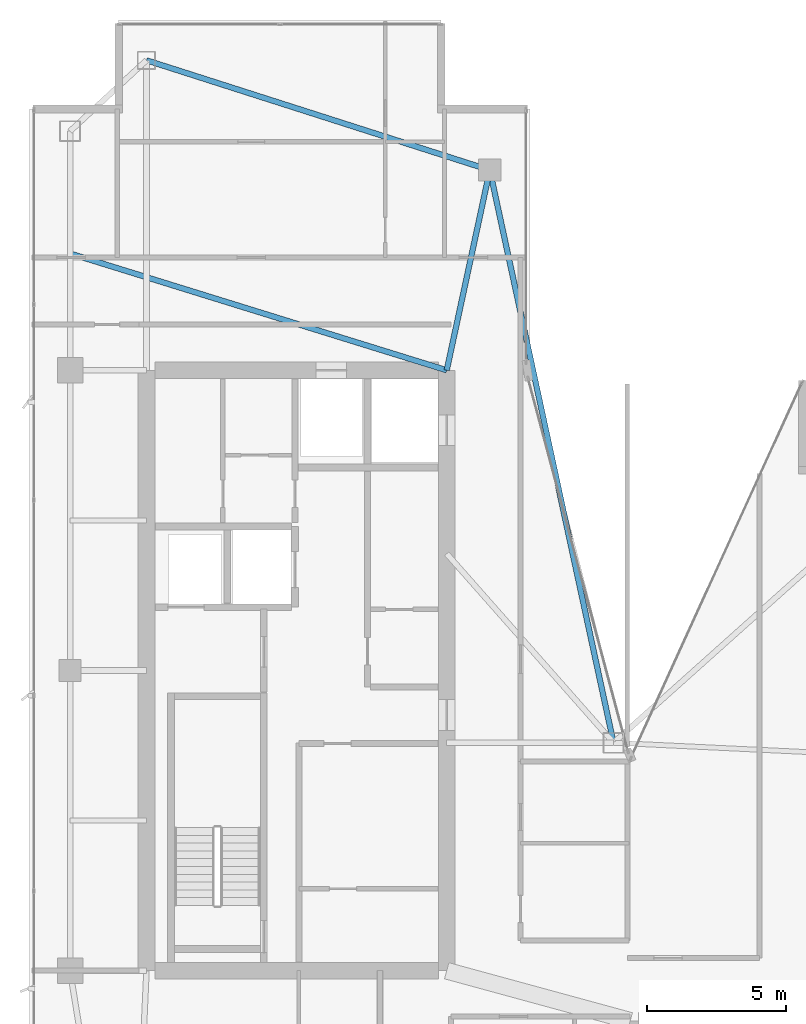
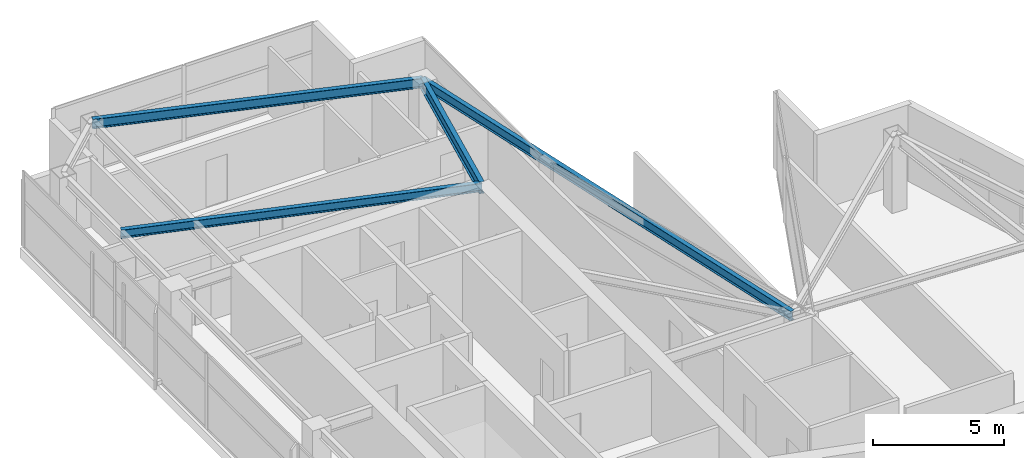
# One storey, part 18 of 27: 4 beams.
"""IFC4 building model written with IfcOpenShell, lengths in metres."""

from ifc_helpers import new_model, si_unit, direction, frame, origin, origin_2d, place, context, subcontext, project, spatial, i_section, extrude, material, material_profile, profile_set, type_object, element, save


model = new_model("IFC4")

# Units and contexts
model_context = context("Model", 3, precision=1e-05, world=origin(), true_north=direction((0.0, 1.0)))
body_context = subcontext(model_context, "Body", "Model", "MODEL_VIEW")
ifc_project = project(units=[si_unit("LENGTHUNIT", "METRE"), si_unit("AREAUNIT", "SQUARE_METRE"), si_unit("VOLUMEUNIT", "CUBIC_METRE"), si_unit("PLANEANGLEUNIT", "RADIAN"), si_unit("MASSUNIT", "GRAM", prefix="KILO")], contexts=[model_context])

# Site, building, storey
site_placement = place(None, origin())
site = spatial("IfcSite", under=ifc_project, at=site_placement, CompositionType="ELEMENT")
building_placement = place(site_placement, origin())
building = spatial("IfcBuilding", under=site, at=building_placement, Name="Calvorn Quay Hotel", CompositionType="ELEMENT")
storey_placement = place(building_placement, frame((0.0, 0.0, 287.300048828125)))
storey = spatial("IfcBuildingStorey", under=building, at=storey_placement, Name="L71", CompositionType="ELEMENT", Elevation=287.300048828125)

# Beams
ifc_material_1 = material(Name="Steel Q355B", Category="steel")
ifc_material_profile_1 = material_profile(ifc_material_1, i_section(OverallWidth=0.199951171875, OverallDepth=0.550048828125, WebThickness=0.010009765625, FlangeThickness=0.01611328125, FilletRadius=0.01806640625, at=origin_2d()), Name="HN550x200x10x16")
ifc_profile_set_1 = profile_set([ifc_material_profile_1], Name="Steel Q355B")
beam_type_1 = type_object("IfcBeamType", Name="BM-GIRD-UPP", PredefinedType="BEAM", material=ifc_profile_set_1)
beam_1_placement = place(storey_placement, frame((16.550048828125, 45.60009765625, 3.264892578125), z_axis=(-0.210457140491, -0.97760308511, 0.0), x_axis=(0.97760308511, -0.210457140491, 0.0)))
element("IfcBeam", 1, at=beam_1_placement, inside=storey, type_object=beam_type_1, Name="Beam BG-L71-W6", PredefinedType="BEAM", context=body_context, shape_type="SweptSolid", body=[
    extrude(i_section(OverallWidth=0.199951171875, OverallDepth=0.550048828125, WebThickness=0.010009765625, FlangeThickness=0.01611328125, FilletRadius=0.01806640625, at=origin_2d()), origin(), (0.0, 0.0, 1.0), 7.365234375),
])
ifc_material_2 = material(Name="Steel Q355B", Category="steel")
ifc_material_profile_2 = material_profile(ifc_material_2, i_section(OverallWidth=0.199951171875, OverallDepth=0.39990234375, WebThickness=0.008056640625, FlangeThickness=0.012939453125, FilletRadius=0.01611328125, at=origin_2d()), Name="HN400x200x8x13")
ifc_profile_set_2 = profile_set([ifc_material_profile_2], Name="Steel Q355B")
beam_type_2 = type_object("IfcBeamType", Name="BM-JOIST-TYP", PredefinedType="JOIST", material=ifc_profile_set_2)
beam_2_placement = place(storey_placement, frame((1.449951171875, 42.60009765625, 3.33984375), z_axis=(0.955163702122, -0.296078202759, 0.0), x_axis=(0.296078202759, 0.955163702122, 0.0)))
element("IfcBeam", 2, at=beam_2_placement, inside=storey, type_object=beam_type_2, Name="Beam BJ-L71-W2", PredefinedType="JOIST", context=body_context, shape_type="SweptSolid", body=[
    extrude(i_section(OverallWidth=0.199951171875, OverallDepth=0.39990234375, WebThickness=0.008056640625, FlangeThickness=0.012939453125, FilletRadius=0.01611328125, at=origin_2d()), origin(), (0.0, 0.0, 1.0), 14.18603515625),
])
ifc_material_3 = material(Name="Steel Q355B", Category="steel")
ifc_material_profile_3 = material_profile(ifc_material_3, i_section(OverallWidth=0.199951171875, OverallDepth=0.449951171875, WebThickness=0.009033203125, FlangeThickness=0.013916015625, FilletRadius=0.01611328125, at=origin_2d()), Name="HN450x200x9x14")
ifc_profile_set_3 = profile_set([ifc_material_profile_3], Name="Steel Q355B")
beam_type_3 = type_object("IfcBeamType", Name="BM-SPANDREL-Z3", PredefinedType="SPANDREL", material=ifc_profile_set_3)
beam_3_placement = place(storey_placement, frame((4.199951171875, 49.550048828125, 3.31494140625), z_axis=(0.952470702374, -0.304630203885, 0.0), x_axis=(0.304630203885, 0.952470702374, 0.0)))
element("IfcBeam", 3, at=beam_3_placement, inside=storey, type_object=beam_type_3, Name="Beam BSP-L71-W6", PredefinedType="SPANDREL", context=body_context, shape_type="SweptSolid", body=[
    extrude(i_section(OverallWidth=0.199951171875, OverallDepth=0.449951171875, WebThickness=0.009033203125, FlangeThickness=0.013916015625, FilletRadius=0.01611328125, at=origin_2d()), origin(), (0.0, 0.0, 1.0), 12.96630859375),
])
beam_4_placement = place(storey_placement, frame((16.550048828125, 45.60009765625, 3.31494140625), z_axis=(0.211145848376, -0.977454567084, 0.0), x_axis=(0.977454567084, 0.211145848376, 0.0)))
element("IfcBeam", 4, at=beam_4_placement, inside=storey, type_object=beam_type_3, Name="Beam BSP-L71-W7", PredefinedType="SPANDREL", context=body_context, shape_type="SweptSolid", body=[
    extrude(i_section(OverallWidth=0.199951171875, OverallDepth=0.449951171875, WebThickness=0.009033203125, FlangeThickness=0.013916015625, FilletRadius=0.01611328125, at=origin_2d()), origin(), (0.0, 0.0, 1.0), 21.0751953125),
])

save(model, "model.ifc")
